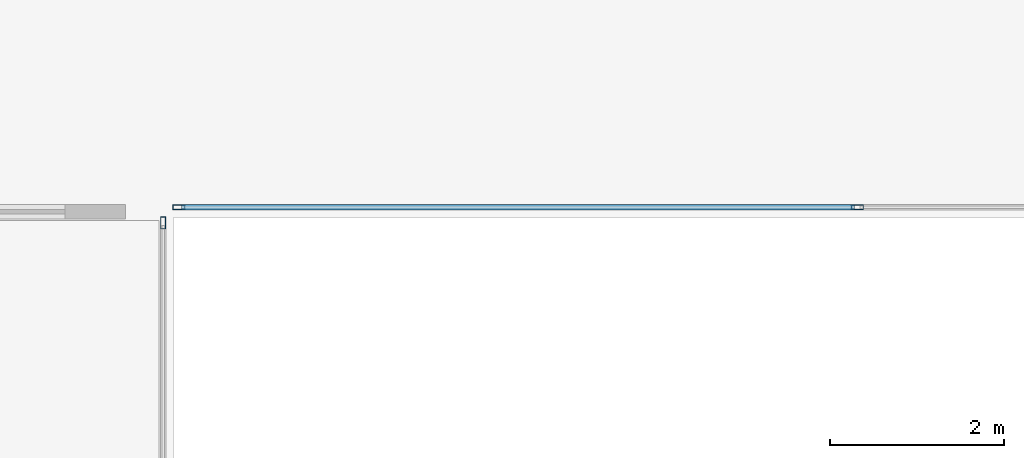
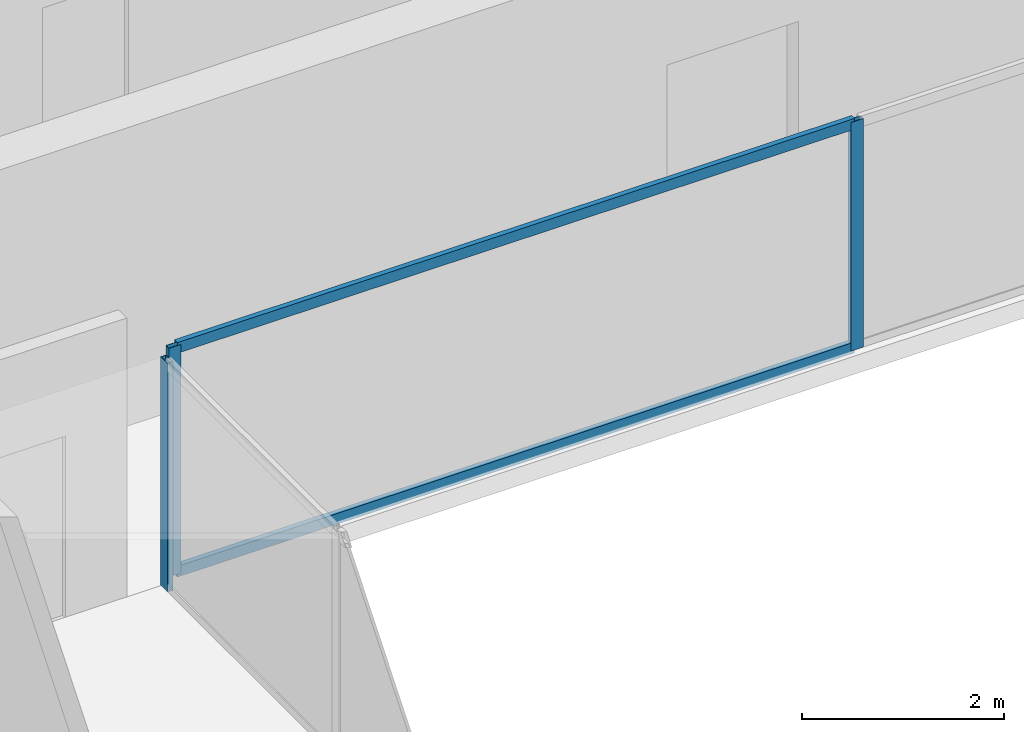
# One storey, part 10 of 31: 5 members, 2 elements without a shape of their own.
"""IFC4 building model written with IfcOpenShell, lengths in metres."""

from ifc_helpers import new_model, si_unit, direction, frame, origin, origin_2d, place, context, subcontext, project, spatial, hollow_rectangle, extrude, source, transform, mapped, material, layer, layer_set, material_profile, profile_set, type_object, element, aggregate, save


model = new_model("IFC4")

# Units and contexts
model_context = context("Model", 3, precision=1e-05, world=origin(), true_north=direction((0.0, 1.0)))
body_context = subcontext(model_context, "Body", "Model", "MODEL_VIEW")
ifc_project = project(units=[si_unit("LENGTHUNIT", "METRE"), si_unit("AREAUNIT", "SQUARE_METRE"), si_unit("VOLUMEUNIT", "CUBIC_METRE"), si_unit("PLANEANGLEUNIT", "RADIAN"), si_unit("MASSUNIT", "GRAM", prefix="KILO")], contexts=[model_context])

# Site, building, storey
site_placement = place(None, origin())
site = spatial("IfcSite", under=ifc_project, at=site_placement, CompositionType="ELEMENT")
building_placement = place(site_placement, origin())
building = spatial("IfcBuilding", under=site, at=building_placement, Name="Sumidabori Civic Tower", CompositionType="ELEMENT")
storey_placement = place(building_placement, frame((0.0, 0.0, 221.60009765625)))
storey = spatial("IfcBuildingStorey", under=building, at=storey_placement, Name="L57", CompositionType="ELEMENT", Elevation=221.60009765625)

# Curtain wall, member
ifc_material = material(Name="Anodised Bronze Aluminium AW-6063-T6", Category="aluminium")
ifc_layer = layer(ifc_material, 0.179931640625, Name="Anodised Bronze Aluminium AW-6063-T6")
ifc_layer_set = layer_set([ifc_layer], Name="Anodised Bronze Aluminium AW-6063-T6")
curtain_wall_type = type_object("IfcCurtainWallType", Name="CW-SYS-4", PredefinedType="NOTDEFINED", material=ifc_layer_set)
curtain_wall_1_placement = place(storey_placement, origin())
curtain_wall_1 = element("IfcCurtainWall", 1, at=curtain_wall_1_placement, inside=storey, type_object=curtain_wall_type, Name="Curtain Wall CW:L57:R04", PredefinedType="NOTDEFINED")
ifc_material_profile_1 = material_profile(ifc_material, hollow_rectangle(XDim=0.06005859375, YDim=0.139892578125, WallThickness=0.0048828125, at=origin_2d()), Name="ALU MULLION 140x60")
ifc_profile_set_1 = profile_set([ifc_material_profile_1], Name="Anodised Bronze Aluminium AW-6063-T6")
member_type_1 = type_object("IfcMemberType", Name="CW-MUL-140", PredefinedType="MULLION", material=ifc_profile_set_1)
shared_shape_1 = source(origin(), body_context, "Body", "SweptSolid", [
    extrude(hollow_rectangle(XDim=0.06005859375, YDim=0.139892578125, WallThickness=0.0048828125, at=origin_2d()), origin(), (0.0, 0.0, 1.0), 2.760009765625),
])
member_1_placement = place(storey_placement, frame((-7.969970703125, 7.340087890625, 0.0), z_axis=(0.0, 0.0, 1.0), x_axis=(-1.0, 0.0, 0.0)))
member_1 = element("IfcMember", 2, at=member_1_placement, type_object=member_type_1, Name="CW-4 mullion 3", PredefinedType="MULLION", context=body_context, shape_type="MappedRepresentation", body=[
    mapped(shared_shape_1, transform((0.0, 0.0, 0.0), x_axis=(1.0, 0.0, 0.0), y_axis=(0.0, 1.0, 0.0), z_axis=(0.0, 0.0, 1.0), scale=1.0)),
])
aggregate(curtain_wall_1, [member_1])

# Curtain wall, members
curtain_wall_2_placement = place(storey_placement, origin())
curtain_wall_2 = element("IfcCurtainWall", 3, at=curtain_wall_2_placement, inside=storey, type_object=curtain_wall_type, Name="Curtain Wall CW:L57:R05", PredefinedType="NOTDEFINED")
member_2_placement = place(storey_placement, frame((-7.7900390625, 7.52001953125, 0.0), z_axis=(0.0, 0.0, 1.0), x_axis=(0.0, 1.0, 0.0)))
member_2 = element("IfcMember", 4, at=member_2_placement, type_object=member_type_1, Name="CW-4 mullion 1", PredefinedType="MULLION", context=body_context, shape_type="MappedRepresentation", body=[
    mapped(shared_shape_1, transform((0.0, 0.0, 0.0), x_axis=(1.0, 0.0, 0.0), y_axis=(0.0, 1.0, 0.0), z_axis=(0.0, 0.0, 1.0), scale=1.0)),
])
member_3_placement = place(storey_placement, frame((0.0, 7.52001953125, 0.0), z_axis=(0.0, 0.0, 1.0), x_axis=(0.0, 1.0, 0.0)))
member_3 = element("IfcMember", 5, at=member_3_placement, type_object=member_type_1, Name="CW-4 mullion 2", PredefinedType="MULLION", context=body_context, shape_type="MappedRepresentation", body=[
    mapped(shared_shape_1, transform((0.0, 0.0, 0.0), x_axis=(1.0, 0.0, 0.0), y_axis=(0.0, 1.0, 0.0), z_axis=(0.0, 0.0, 1.0), scale=1.0)),
])
ifc_material_profile_2 = material_profile(ifc_material, hollow_rectangle(XDim=0.06005859375, YDim=0.1298828125, WallThickness=0.0048828125, at=origin_2d()), Name="ALU TRANSOM 130x60")
ifc_profile_set_2 = profile_set([ifc_material_profile_2], Name="Anodised Bronze Aluminium AW-6063-T6")
member_type_2 = type_object("IfcMemberType", Name="CW-TRN-130", PredefinedType="USERDEFINED", material=ifc_profile_set_2)
shared_shape_2 = source(origin(), body_context, "Body", "SweptSolid", [
    extrude(hollow_rectangle(XDim=0.06005859375, YDim=0.1298828125, WallThickness=0.0048828125, at=origin_2d()), origin(), (0.0, 0.0, 1.0), 7.72998046875),
])
member_4_placement = place(storey_placement, frame((-7.760009765625, 7.52001953125, 0.02978515625), z_axis=(1.0, 0.0, 0.0), x_axis=(0.0, 1.0, 0.0)))
member_4 = element("IfcMember", 6, at=member_4_placement, type_object=member_type_2, Name="CW-4 transom 1.1", ObjectType="TRANSOM", PredefinedType="USERDEFINED", context=body_context, shape_type="MappedRepresentation", body=[
    mapped(shared_shape_2, transform((0.0, 0.0, 0.0), x_axis=(1.0, 0.0, 0.0), y_axis=(0.0, 1.0, 0.0), z_axis=(0.0, 0.0, 1.0), scale=1.0)),
])
member_5_placement = place(storey_placement, frame((-7.760009765625, 7.52001953125, 2.72998046875), z_axis=(1.0, 0.0, 0.0), x_axis=(0.0, 1.0, 0.0)))
member_5 = element("IfcMember", 7, at=member_5_placement, type_object=member_type_2, Name="CW-4 transom 1.2", ObjectType="TRANSOM", PredefinedType="USERDEFINED", context=body_context, shape_type="MappedRepresentation", body=[
    mapped(shared_shape_2, transform((0.0, 0.0, 0.0), x_axis=(1.0, 0.0, 0.0), y_axis=(0.0, 1.0, 0.0), z_axis=(0.0, 0.0, 1.0), scale=1.0)),
])
aggregate(curtain_wall_2, [member_2, member_3, member_4, member_5])

save(model, "model.ifc")
